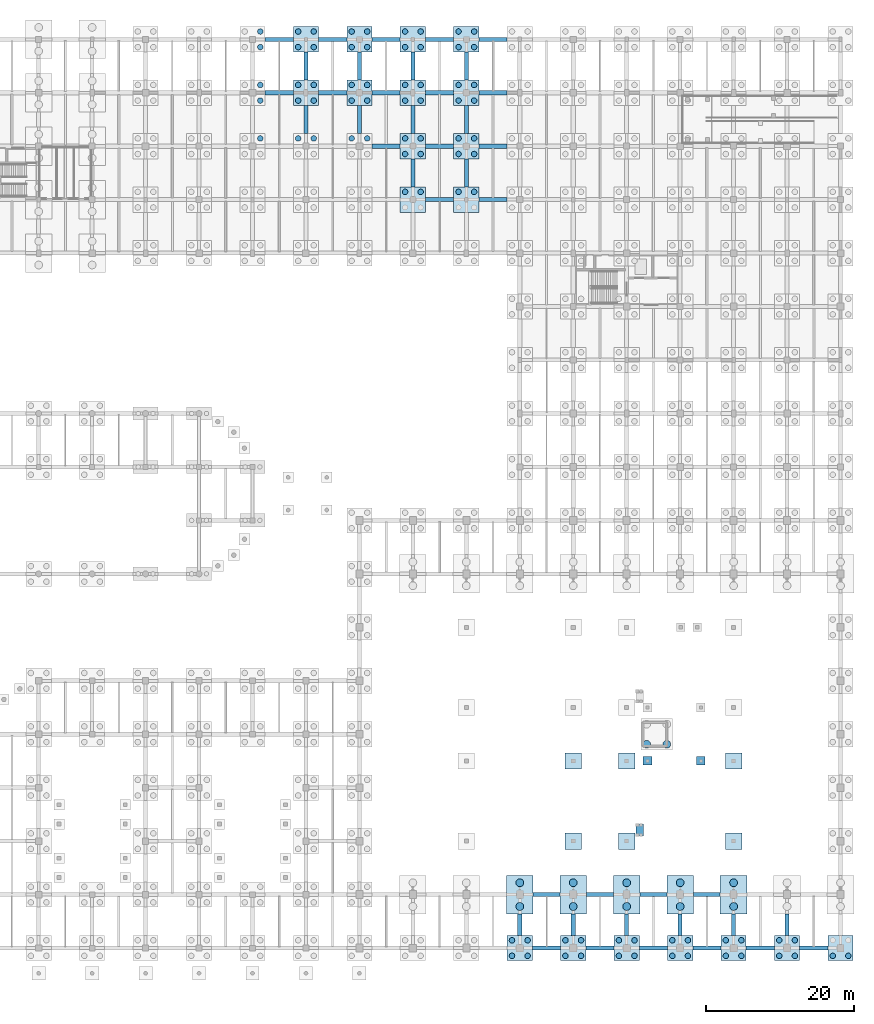
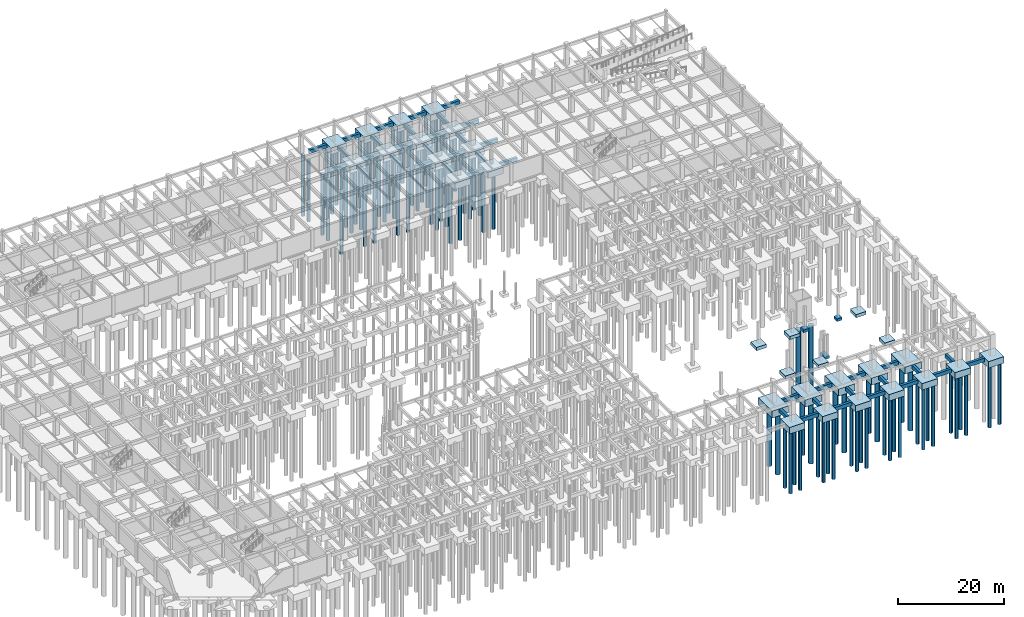
# One storey, part 10 of 47: 91 piles, 74 footings.
"""IFC4 building model written with IfcOpenShell, lengths in metres."""

from ifc_helpers import new_model, si_unit, direction, frame, origin, origin_2d, place, context, subcontext, project, spatial, rectangle, circle, extrude, material, material_profile, profile_set, type_object, element, save


model = new_model("IFC4")

# Units and contexts
model_context = context("Model", 3, precision=1e-05, world=origin(), true_north=direction((0.0, 1.0)))
body_context = subcontext(model_context, "Body", "Model", "MODEL_VIEW")
ifc_project = project(units=[si_unit("LENGTHUNIT", "METRE"), si_unit("AREAUNIT", "SQUARE_METRE"), si_unit("VOLUMEUNIT", "CUBIC_METRE"), si_unit("PLANEANGLEUNIT", "RADIAN"), si_unit("MASSUNIT", "GRAM", prefix="KILO")], contexts=[model_context])

# Site, building, storey
site_placement = place(None, origin())
site = spatial("IfcSite", under=ifc_project, at=site_placement, CompositionType="ELEMENT")
building_placement = place(site_placement, origin())
building = spatial("IfcBuilding", under=site, at=building_placement, Name="Thalmaran Polytechnic", CompositionType="ELEMENT")
storey_placement = place(building_placement, frame((0.0, 0.0, -4.5)))
storey = spatial("IfcBuildingStorey", under=building, at=storey_placement, Name="B1", CompositionType="ELEMENT", Elevation=-4.5)

# Footings
ifc_material_1 = material(Name="Concrete C40/50", Category="concrete")
ifc_material_profile_1 = material_profile(ifc_material_1, rectangle(XDim=0.550048828125, YDim=0.85009765625, at=origin_2d()), Name="RC 550x850")
ifc_profile_set_1 = profile_set([ifc_material_profile_1], Name="Concrete C40/50")
footing_type_1 = type_object("IfcFootingType", Name="FN-GB01", PredefinedType="FOOTING_BEAM", material=ifc_profile_set_1)
for number, where, z_axis, x_axis, name in (
    (1, (95.300048828125, 115.199951171875, -0.875), (1.0, 0.0, 0.0), (0.0, 1.0, 0.0), "Ground Tie Beam B1 X (13,16)"),
    (2, (95.300048828125, 122.39990234375, -0.875), (1.0, 0.0, 0.0), (0.0, 1.0, 0.0), "Ground Tie Beam B1 X (13,17)"),
    (3, (100.800048828125, 109.699951171875, -0.875), (0.0, 1.0, 0.0), (-1.0, 0.0, 0.0), "Ground Tie Beam B1 Y (14,15)"),
    (4, (102.5, 115.199951171875, -0.875), (1.0, 0.0, 0.0), (0.0, 1.0, 0.0), "Ground Tie Beam B1 X (14,16)"),
    (5, (100.800048828125, 116.89990234375, -0.875), (0.0, 1.0, 0.0), (-1.0, 0.0, 0.0), "Ground Tie Beam B1 Y (14,16)"),
    (6, (102.5, 122.39990234375, -0.875), (1.0, 0.0, 0.0), (0.0, 1.0, 0.0), "Ground Tie Beam B1 X (14,17)"),
    (7, (109.699951171875, 108.0, -0.875), (1.0, 0.0, 0.0), (0.0, 1.0, 0.0), "Ground Tie Beam B1 X (15,15)"),
    (8, (108.0, 109.699951171875, -0.875), (0.0, 1.0, 0.0), (-1.0, 0.0, 0.0), "Ground Tie Beam B1 Y (15,15)"),
    (9, (109.699951171875, 115.199951171875, -0.875), (1.0, 0.0, 0.0), (0.0, 1.0, 0.0), "Ground Tie Beam B1 X (15,16)"),
    (10, (108.0, 116.89990234375, -0.875), (0.0, 1.0, 0.0), (-1.0, 0.0, 0.0), "Ground Tie Beam B1 Y (15,16)"),
    (11, (109.699951171875, 122.39990234375, -0.875), (1.0, 0.0, 0.0), (0.0, 1.0, 0.0), "Ground Tie Beam B1 X (15,17)"),
    (12, (116.89990234375, 100.800048828125, -0.875), (1.0, 0.0, 0.0), (0.0, 1.0, 0.0), "Ground Tie Beam B1 X (16,14)"),
    (13, (115.199951171875, 102.5, -0.875), (0.0, 1.0, 0.0), (-1.0, 0.0, 0.0), "Ground Tie Beam B1 Y (16,14)"),
    (14, (116.89990234375, 108.0, -0.875), (1.0, 0.0, 0.0), (0.0, 1.0, 0.0), "Ground Tie Beam B1 X (16,15)"),
    (15, (115.199951171875, 109.699951171875, -0.875), (0.0, 1.0, 0.0), (-1.0, 0.0, 0.0), "Ground Tie Beam B1 Y (16,15)"),
    (16, (116.89990234375, 115.199951171875, -0.875), (1.0, 0.0, 0.0), (0.0, 1.0, 0.0), "Ground Tie Beam B1 X (16,16)"),
    (17, (115.199951171875, 116.89990234375, -0.875), (0.0, 1.0, 0.0), (-1.0, 0.0, 0.0), "Ground Tie Beam B1 Y (16,16)"),
    (18, (116.89990234375, 122.39990234375, -0.875), (1.0, 0.0, 0.0), (0.0, 1.0, 0.0), "Ground Tie Beam B1 X (16,17)"),
):
    element("IfcFooting", number, at=place(storey_placement, frame(where, z_axis=z_axis, x_axis=x_axis)), inside=storey, type_object=footing_type_1, Name=name, PredefinedType="FOOTING_BEAM", context=body_context, shape_type="SweptSolid", body=[
        extrude(rectangle(XDim=0.550048828125, YDim=0.85009765625, at=origin_2d()), origin(), (0.0, 0.0, 1.0), 3.800048828125),
    ])
footing_1_placement = place(storey_placement, frame((124.10009765625, 100.800048828125, -0.875), z_axis=(1.0, 0.0, 0.0), x_axis=(0.0, 1.0, 0.0)))
element("IfcFooting", 19, at=footing_1_placement, inside=storey, type_object=footing_type_1, Name="Ground Tie Beam B1 X (17,14)", PredefinedType="FOOTING_BEAM", context=body_context, shape_type="SweptSolid", body=[
    extrude(rectangle(XDim=0.550048828125, YDim=0.85009765625, at=origin_2d()), origin(), (0.0, 0.0, 1.0), 3.7998046875),
])
footing_2_placement = place(storey_placement, frame((122.39990234375, 102.5, -0.875), z_axis=(0.0, 1.0, 0.0), x_axis=(-1.0, 0.0, 0.0)))
element("IfcFooting", 20, at=footing_2_placement, inside=storey, type_object=footing_type_1, Name="Ground Tie Beam B1 Y (17,14)", PredefinedType="FOOTING_BEAM", context=body_context, shape_type="SweptSolid", body=[
    extrude(rectangle(XDim=0.550048828125, YDim=0.85009765625, at=origin_2d()), origin(), (0.0, 0.0, 1.0), 3.800048828125),
])
footing_3_placement = place(storey_placement, frame((124.10009765625, 108.0, -0.875), z_axis=(1.0, 0.0, 0.0), x_axis=(0.0, 1.0, 0.0)))
element("IfcFooting", 21, at=footing_3_placement, inside=storey, type_object=footing_type_1, Name="Ground Tie Beam B1 X (17,15)", PredefinedType="FOOTING_BEAM", context=body_context, shape_type="SweptSolid", body=[
    extrude(rectangle(XDim=0.550048828125, YDim=0.85009765625, at=origin_2d()), origin(), (0.0, 0.0, 1.0), 3.7998046875),
])
footing_4_placement = place(storey_placement, frame((122.39990234375, 109.699951171875, -0.875), z_axis=(0.0, 1.0, 0.0), x_axis=(-1.0, 0.0, 0.0)))
element("IfcFooting", 22, at=footing_4_placement, inside=storey, type_object=footing_type_1, Name="Ground Tie Beam B1 Y (17,15)", PredefinedType="FOOTING_BEAM", context=body_context, shape_type="SweptSolid", body=[
    extrude(rectangle(XDim=0.550048828125, YDim=0.85009765625, at=origin_2d()), origin(), (0.0, 0.0, 1.0), 3.800048828125),
])
footing_5_placement = place(storey_placement, frame((124.10009765625, 115.199951171875, -0.875), z_axis=(1.0, 0.0, 0.0), x_axis=(0.0, 1.0, 0.0)))
element("IfcFooting", 23, at=footing_5_placement, inside=storey, type_object=footing_type_1, Name="Ground Tie Beam B1 X (17,16)", PredefinedType="FOOTING_BEAM", context=body_context, shape_type="SweptSolid", body=[
    extrude(rectangle(XDim=0.550048828125, YDim=0.85009765625, at=origin_2d()), origin(), (0.0, 0.0, 1.0), 3.7998046875),
])
footing_6_placement = place(storey_placement, frame((122.39990234375, 116.89990234375, -0.875), z_axis=(0.0, 1.0, 0.0), x_axis=(-1.0, 0.0, 0.0)))
element("IfcFooting", 24, at=footing_6_placement, inside=storey, type_object=footing_type_1, Name="Ground Tie Beam B1 Y (17,16)", PredefinedType="FOOTING_BEAM", context=body_context, shape_type="SweptSolid", body=[
    extrude(rectangle(XDim=0.550048828125, YDim=0.85009765625, at=origin_2d()), origin(), (0.0, 0.0, 1.0), 3.800048828125),
])
footing_7_placement = place(storey_placement, frame((124.10009765625, 122.39990234375, -0.875), z_axis=(1.0, 0.0, 0.0), x_axis=(0.0, 1.0, 0.0)))
element("IfcFooting", 25, at=footing_7_placement, inside=storey, type_object=footing_type_1, Name="Ground Tie Beam B1 X (17,17)", PredefinedType="FOOTING_BEAM", context=body_context, shape_type="SweptSolid", body=[
    extrude(rectangle(XDim=0.550048828125, YDim=0.85009765625, at=origin_2d()), origin(), (0.0, 0.0, 1.0), 3.7998046875),
])
footing_8_placement = place(storey_placement, frame((131.300048828125, 0.0, -0.875), z_axis=(1.0, 0.0, 0.0), x_axis=(0.0, 1.0, 0.0)))
element("IfcFooting", 26, at=footing_8_placement, inside=storey, type_object=footing_type_1, Name="Ground Tie Beam B1 X (18,0)", PredefinedType="FOOTING_BEAM", context=body_context, shape_type="SweptSolid", body=[
    extrude(rectangle(XDim=0.550048828125, YDim=0.85009765625, at=origin_2d()), origin(), (0.0, 0.0, 1.0), 3.800048828125),
])
footing_9_placement = place(storey_placement, frame((129.60009765625, 1.699951171875, -0.875), z_axis=(0.0, 1.0, 0.0), x_axis=(-1.0, 0.0, 0.0)))
element("IfcFooting", 27, at=footing_9_placement, inside=storey, type_object=footing_type_1, Name="Ground Tie Beam B1 Y (18,0)", PredefinedType="FOOTING_BEAM", context=body_context, shape_type="SweptSolid", body=[
    extrude(rectangle(XDim=0.550048828125, YDim=0.85009765625, at=origin_2d()), origin(), (0.0, 0.0, 1.0), 2.900146484375),
])
footing_10_placement = place(storey_placement, frame((131.39990234375, 7.199951171875, -0.875), z_axis=(1.0, 0.0, 0.0), x_axis=(0.0, 1.0, 0.0)))
element("IfcFooting", 28, at=footing_10_placement, inside=storey, type_object=footing_type_1, Name="Ground Tie Beam B1 X (18,1)", PredefinedType="FOOTING_BEAM", context=body_context, shape_type="SweptSolid", body=[
    extrude(rectangle(XDim=0.550048828125, YDim=0.85009765625, at=origin_2d()), origin(), (0.0, 0.0, 1.0), 3.60009765625),
])
footing_11_placement = place(storey_placement, frame((138.5, 0.0, -0.875), z_axis=(1.0, 0.0, 0.0), x_axis=(0.0, 1.0, 0.0)))
element("IfcFooting", 29, at=footing_11_placement, inside=storey, type_object=footing_type_1, Name="Ground Tie Beam B1 X (19,0)", PredefinedType="FOOTING_BEAM", context=body_context, shape_type="SweptSolid", body=[
    extrude(rectangle(XDim=0.550048828125, YDim=0.85009765625, at=origin_2d()), origin(), (0.0, 0.0, 1.0), 3.800048828125),
])
footing_12_placement = place(storey_placement, frame((136.800048828125, 1.699951171875, -0.875), z_axis=(0.0, 1.0, 0.0), x_axis=(-1.0, 0.0, 0.0)))
element("IfcFooting", 30, at=footing_12_placement, inside=storey, type_object=footing_type_1, Name="Ground Tie Beam B1 Y (19,0)", PredefinedType="FOOTING_BEAM", context=body_context, shape_type="SweptSolid", body=[
    extrude(rectangle(XDim=0.550048828125, YDim=0.85009765625, at=origin_2d()), origin(), (0.0, 0.0, 1.0), 2.900146484375),
])
footing_13_placement = place(storey_placement, frame((138.60009765625, 7.199951171875, -0.875), z_axis=(1.0, 0.0, 0.0), x_axis=(0.0, 1.0, 0.0)))
element("IfcFooting", 31, at=footing_13_placement, inside=storey, type_object=footing_type_1, Name="Ground Tie Beam B1 X (19,1)", PredefinedType="FOOTING_BEAM", context=body_context, shape_type="SweptSolid", body=[
    extrude(rectangle(XDim=0.550048828125, YDim=0.85009765625, at=origin_2d()), origin(), (0.0, 0.0, 1.0), 3.599853515625),
])
footing_14_placement = place(storey_placement, frame((145.699951171875, 0.0, -0.875), z_axis=(1.0, 0.0, 0.0), x_axis=(0.0, 1.0, 0.0)))
element("IfcFooting", 32, at=footing_14_placement, inside=storey, type_object=footing_type_1, Name="Ground Tie Beam B1 X (20,0)", PredefinedType="FOOTING_BEAM", context=body_context, shape_type="SweptSolid", body=[
    extrude(rectangle(XDim=0.550048828125, YDim=0.85009765625, at=origin_2d()), origin(), (0.0, 0.0, 1.0), 3.800048828125),
])
footing_15_placement = place(storey_placement, frame((144.0, 1.699951171875, -0.875), z_axis=(0.0, 1.0, 0.0), x_axis=(-1.0, 0.0, 0.0)))
element("IfcFooting", 33, at=footing_15_placement, inside=storey, type_object=footing_type_1, Name="Ground Tie Beam B1 Y (20,0)", PredefinedType="FOOTING_BEAM", context=body_context, shape_type="SweptSolid", body=[
    extrude(rectangle(XDim=0.550048828125, YDim=0.85009765625, at=origin_2d()), origin(), (0.0, 0.0, 1.0), 2.900146484375),
])
footing_16_placement = place(storey_placement, frame((145.800048828125, 7.199951171875, -0.875), z_axis=(1.0, 0.0, 0.0), x_axis=(0.0, 1.0, 0.0)))
element("IfcFooting", 34, at=footing_16_placement, inside=storey, type_object=footing_type_1, Name="Ground Tie Beam B1 X (20,1)", PredefinedType="FOOTING_BEAM", context=body_context, shape_type="SweptSolid", body=[
    extrude(rectangle(XDim=0.550048828125, YDim=0.85009765625, at=origin_2d()), origin(), (0.0, 0.0, 1.0), 3.599853515625),
])
footing_17_placement = place(storey_placement, frame((152.89990234375, 0.0, -0.875), z_axis=(1.0, 0.0, 0.0), x_axis=(0.0, 1.0, 0.0)))
element("IfcFooting", 35, at=footing_17_placement, inside=storey, type_object=footing_type_1, Name="Ground Tie Beam B1 X (21,0)", PredefinedType="FOOTING_BEAM", context=body_context, shape_type="SweptSolid", body=[
    extrude(rectangle(XDim=0.550048828125, YDim=0.85009765625, at=origin_2d()), origin(), (0.0, 0.0, 1.0), 3.800048828125),
])
footing_18_placement = place(storey_placement, frame((151.199951171875, 1.699951171875, -0.875), z_axis=(0.0, 1.0, 0.0), x_axis=(-1.0, 0.0, 0.0)))
element("IfcFooting", 36, at=footing_18_placement, inside=storey, type_object=footing_type_1, Name="Ground Tie Beam B1 Y (21,0)", PredefinedType="FOOTING_BEAM", context=body_context, shape_type="SweptSolid", body=[
    extrude(rectangle(XDim=0.550048828125, YDim=0.85009765625, at=origin_2d()), origin(), (0.0, 0.0, 1.0), 2.900146484375),
])
footing_19_placement = place(storey_placement, frame((153.0, 7.199951171875, -0.875), z_axis=(1.0, 0.0, 0.0), x_axis=(0.0, 1.0, 0.0)))
element("IfcFooting", 37, at=footing_19_placement, inside=storey, type_object=footing_type_1, Name="Ground Tie Beam B1 X (21,1)", PredefinedType="FOOTING_BEAM", context=body_context, shape_type="SweptSolid", body=[
    extrude(rectangle(XDim=0.550048828125, YDim=0.85009765625, at=origin_2d()), origin(), (0.0, 0.0, 1.0), 3.60009765625),
])
footing_20_placement = place(storey_placement, frame((160.10009765625, 0.0, -0.875), z_axis=(1.0, 0.0, 0.0), x_axis=(0.0, 1.0, 0.0)))
element("IfcFooting", 38, at=footing_20_placement, inside=storey, type_object=footing_type_1, Name="Ground Tie Beam B1 X (22,0)", PredefinedType="FOOTING_BEAM", context=body_context, shape_type="SweptSolid", body=[
    extrude(rectangle(XDim=0.550048828125, YDim=0.85009765625, at=origin_2d()), origin(), (0.0, 0.0, 1.0), 3.7998046875),
])
footing_21_placement = place(storey_placement, frame((158.39990234375, 1.699951171875, -0.875), z_axis=(0.0, 1.0, 0.0), x_axis=(-1.0, 0.0, 0.0)))
element("IfcFooting", 39, at=footing_21_placement, inside=storey, type_object=footing_type_1, Name="Ground Tie Beam B1 Y (22,0)", PredefinedType="FOOTING_BEAM", context=body_context, shape_type="SweptSolid", body=[
    extrude(rectangle(XDim=0.550048828125, YDim=0.85009765625, at=origin_2d()), origin(), (0.0, 0.0, 1.0), 2.900146484375),
])
footing_22_placement = place(storey_placement, frame((167.300048828125, 0.0, -0.875), z_axis=(1.0, 0.0, 0.0), x_axis=(0.0, 1.0, 0.0)))
element("IfcFooting", 40, at=footing_22_placement, inside=storey, type_object=footing_type_1, Name="Ground Tie Beam B1 X (23,0)", PredefinedType="FOOTING_BEAM", context=body_context, shape_type="SweptSolid", body=[
    extrude(rectangle(XDim=0.550048828125, YDim=0.85009765625, at=origin_2d()), origin(), (0.0, 0.0, 1.0), 3.800048828125),
])
footing_23_placement = place(storey_placement, frame((165.60009765625, 1.699951171875, -0.875), z_axis=(0.0, 1.0, 0.0), x_axis=(-1.0, 0.0, 0.0)))
element("IfcFooting", 41, at=footing_23_placement, inside=storey, type_object=footing_type_1, Name="Ground Tie Beam B1 Y (23,0)", PredefinedType="FOOTING_BEAM", context=body_context, shape_type="SweptSolid", body=[
    extrude(rectangle(XDim=0.550048828125, YDim=0.85009765625, at=origin_2d()), origin(), (0.0, 0.0, 1.0), 2.900146484375),
])
footing_type_2 = type_object("IfcFootingType", Name="FN-PC01", PredefinedType="PILE_CAP", material=ifc_material_1)
for number, where, z_axis, x_axis, name in (
    (42, (100.800048828125, 115.199951171875, -1.949951171875), (0.0, 0.0, 1.0), (1.0, 0.0, 0.0), "Pile Cap PC01 (14,16)"),
    (43, (100.800048828125, 122.39990234375, -1.949951171875), (0.0, 0.0, 1.0), (1.0, 0.0, 0.0), "Pile Cap PC01 (14,17)"),
    (44, (108.0, 115.199951171875, -1.949951171875), (0.0, 0.0, 1.0), (1.0, 0.0, 0.0), "Pile Cap PC01 (15,16)"),
    (45, (108.0, 122.39990234375, -1.949951171875), (0.0, 0.0, 1.0), (1.0, 0.0, 0.0), "Pile Cap PC01 (15,17)"),
    (46, (115.199951171875, 100.800048828125, -1.949951171875), (0.0, 0.0, 1.0), (1.0, 0.0, 0.0), "Pile Cap PC01 (16,14)"),
    (47, (115.199951171875, 108.0, -1.949951171875), (0.0, 0.0, 1.0), (1.0, 0.0, 0.0), "Pile Cap PC01 (16,15)"),
    (48, (115.199951171875, 115.199951171875, -1.949951171875), (0.0, 0.0, 1.0), (1.0, 0.0, 0.0), "Pile Cap PC01 (16,16)"),
    (49, (115.199951171875, 122.39990234375, -1.949951171875), (0.0, 0.0, 1.0), (1.0, 0.0, 0.0), "Pile Cap PC01 (16,17)"),
    (50, (122.39990234375, 100.800048828125, -1.949951171875), (0.0, 0.0, 1.0), (1.0, 0.0, 0.0), "Pile Cap PC01 (17,14)"),
    (51, (122.39990234375, 108.0, -1.949951171875), (0.0, 0.0, 1.0), (1.0, 0.0, 0.0), "Pile Cap PC01 (17,15)"),
    (52, (122.39990234375, 115.199951171875, -1.949951171875), (0.0, 0.0, 1.0), (1.0, 0.0, 0.0), "Pile Cap PC01 (17,16)"),
    (53, (122.39990234375, 122.39990234375, -1.949951171875), (0.0, 0.0, 1.0), (1.0, 0.0, 0.0), "Pile Cap PC01 (17,17)"),
    (54, (129.60009765625, 0.0, -1.949951171875), (0.0, 0.0, 1.0), (1.0, 0.0, 0.0), "Pile Cap PC01 (18,0)"),
    (55, (136.800048828125, 0.0, -1.949951171875), (0.0, 0.0, 1.0), (1.0, 0.0, 0.0), "Pile Cap PC01 (19,0)"),
    (56, (144.0, 0.0, -1.949951171875), (0.0, 0.0, 1.0), (1.0, 0.0, 0.0), "Pile Cap PC01 (20,0)"),
    (57, (151.199951171875, 0.0, -1.949951171875), (0.0, 0.0, 1.0), (1.0, 0.0, 0.0), "Pile Cap PC01 (21,0)"),
    (58, (158.39990234375, 0.0, -1.949951171875), (0.0, 0.0, 1.0), (1.0, 0.0, 0.0), "Pile Cap PC01 (22,0)"),
    (59, (165.60009765625, 0.0, -1.949951171875), (0.0, 0.0, 1.0), (1.0, 0.0, 0.0), "Pile Cap PC01 (23,0)"),
    (60, (172.800048828125, 0.0, -1.949951171875), (0.0, 0.0, 1.0), (1.0, 0.0, 0.0), "Pile Cap PC01 (24,0)"),
):
    element("IfcFooting", number, at=place(storey_placement, frame(where, z_axis=z_axis, x_axis=x_axis)), inside=storey, type_object=footing_type_2, Name=name, PredefinedType="PILE_CAP", context=body_context, shape_type="SweptSolid", body=[
        extrude(rectangle(XDim=3.39990234375, YDim=3.39990234375, at=origin_2d()), origin(), (0.0, 0.0, 1.0), 1.5),
    ])
footing_type_3 = type_object("IfcFootingType", Name="FN-PC08", PredefinedType="PILE_CAP", material=ifc_material_1)
for number, where, z_axis, x_axis, name in (
    (61, (129.60009765625, 7.199951171875, -2.050048828125), (0.0, 0.0, 1.0), (1.0, 0.0, 0.0), "Pile Cap PC08 (18,1)"),
    (62, (136.800048828125, 7.199951171875, -2.050048828125), (0.0, 0.0, 1.0), (1.0, 0.0, 0.0), "Pile Cap PC08 (19,1)"),
    (63, (144.0, 7.199951171875, -2.050048828125), (0.0, 0.0, 1.0), (1.0, 0.0, 0.0), "Pile Cap PC08 (20,1)"),
    (64, (151.199951171875, 7.199951171875, -2.050048828125), (0.0, 0.0, 1.0), (1.0, 0.0, 0.0), "Pile Cap PC08 (21,1)"),
    (65, (158.39990234375, 7.199951171875, -2.050048828125), (0.0, 0.0, 1.0), (1.0, 0.0, 0.0), "Pile Cap PC08 (22,1)"),
):
    element("IfcFooting", number, at=place(storey_placement, frame(where, z_axis=z_axis, x_axis=x_axis)), inside=storey, type_object=footing_type_3, Name=name, PredefinedType="PILE_CAP", context=body_context, shape_type="SweptSolid", body=[
        extrude(rectangle(XDim=3.60009765625, YDim=5.199951171875, at=origin_2d()), origin(), (0.0, 0.0, 1.0), 1.60009765625),
    ])
footing_type_4 = type_object("IfcFootingType", Name="FN-PF01", PredefinedType="PAD_FOOTING", material=ifc_material_1)
for number, where, z_axis, x_axis, name in (
    (66, (136.800048828125, 14.39990234375, -1.199951171875), (0.0, 0.0, 1.0), (1.0, 0.0, 0.0), "POD1 Sabkha Pad Footing"),
    (67, (136.800048828125, 25.199951171875, -1.199951171875), (0.0, 0.0, 1.0), (1.0, 0.0, 0.0), "POD1 Sabkha Pad Footing"),
    (68, (144.0, 14.39990234375, -1.199951171875), (0.0, 0.0, 1.0), (1.0, 0.0, 0.0), "POD2 Sabkha Pad Footing"),
    (69, (144.0, 25.199951171875, -1.199951171875), (0.0, 0.0, 1.0), (1.0, 0.0, 0.0), "POD2 Sabkha Pad Footing"),
    (70, (158.39990234375, 14.39990234375, -1.199951171875), (0.0, 0.0, 1.0), (1.0, 0.0, 0.0), "POD2 Sabkha Pad Footing"),
    (71, (158.39990234375, 25.199951171875, -1.199951171875), (0.0, 0.0, 1.0), (1.0, 0.0, 0.0), "POD2 Sabkha Pad Footing"),
):
    element("IfcFooting", number, at=place(storey_placement, frame(where, z_axis=z_axis, x_axis=x_axis)), inside=storey, type_object=footing_type_4, Name=name, PredefinedType="PAD_FOOTING", context=body_context, shape_type="SweptSolid", body=[
        extrude(rectangle(XDim=2.199951171875, YDim=2.199951171875, at=origin_2d()), origin(), (0.0, 0.0, 1.0), 0.75),
    ])
footing_type_5 = type_object("IfcFootingType", Name="FN-PF02", PredefinedType="PAD_FOOTING", material=ifc_material_1)
footing_24_placement = place(storey_placement, frame((145.75, 15.89990234375, -1.099853515625), z_axis=(0.0, 0.0, 1.0), x_axis=(1.0, 0.0, 0.0)))
element("IfcFooting", 72, at=footing_24_placement, inside=storey, type_object=footing_type_5, Name="STP1 Combined Landing Pad Footing", PredefinedType="PAD_FOOTING", context=body_context, shape_type="SweptSolid", body=[
    extrude(rectangle(XDim=1.0400390625, YDim=1.64990234375, at=origin_2d()), origin(), (0.0, 0.0, 1.0), 0.64990234375),
])
footing_type_6 = type_object("IfcFootingType", Name="FN-PF03", PredefinedType="PAD_FOOTING", material=ifc_material_1)
for number, where, z_axis, x_axis, name in (
    (73, (146.800048828125, 25.199951171875, -1.050048828125), (0.0, 0.0, 1.0), (1.0, 0.0, 0.0), "Pod Bridge Footing (146.8,25.2)"),
    (74, (154.0, 25.199951171875, -1.050048828125), (0.0, 0.0, 1.0), (1.0, 0.0, 0.0), "Pod Bridge Footing (154.0,25.2)"),
):
    element("IfcFooting", number, at=place(storey_placement, frame(where, z_axis=z_axis, x_axis=x_axis)), inside=storey, type_object=footing_type_6, Name=name, PredefinedType="PAD_FOOTING", context=body_context, shape_type="SweptSolid", body=[
        extrude(rectangle(XDim=1.14990234375, YDim=1.14990234375, at=origin_2d()), origin(), (0.0, 0.0, 1.0), 0.60009765625),
    ])

# Piles
ifc_material_2 = material(Name="Concrete C35/45", Category="concrete")
ifc_material_profile_2 = material_profile(ifc_material_2, circle(Radius=0.52490234375, at=origin_2d()), Name="RC 1050 DIA")
ifc_profile_set_2 = profile_set([ifc_material_profile_2], Name="Concrete C35/45")
pile_type_1 = type_object("IfcPileType", Name="PL-BP01", PredefinedType="BORED", material=ifc_profile_set_2)
for number, where, z_axis, x_axis, name in (
    (75, (129.60009765625, 5.60009765625, -2.050048828125), (0.0, 0.0, -1.0), (1.0, 0.0, 0.0), "Bored Pile BP01 (18,1)-1"),
    (76, (129.60009765625, 8.800048828125, -2.050048828125), (0.0, 0.0, -1.0), (1.0, 0.0, 0.0), "Bored Pile BP01 (18,1)-2"),
    (77, (136.800048828125, 5.60009765625, -2.050048828125), (0.0, 0.0, -1.0), (1.0, 0.0, 0.0), "Bored Pile BP01 (19,1)-1"),
    (78, (136.800048828125, 8.800048828125, -2.050048828125), (0.0, 0.0, -1.0), (1.0, 0.0, 0.0), "Bored Pile BP01 (19,1)-2"),
    (79, (144.0, 5.60009765625, -2.050048828125), (0.0, 0.0, -1.0), (1.0, 0.0, 0.0), "Bored Pile BP01 (20,1)-1"),
    (80, (144.0, 8.800048828125, -2.050048828125), (0.0, 0.0, -1.0), (1.0, 0.0, 0.0), "Bored Pile BP01 (20,1)-2"),
    (81, (151.199951171875, 5.60009765625, -2.050048828125), (0.0, 0.0, -1.0), (1.0, 0.0, 0.0), "Bored Pile BP01 (21,1)-1"),
    (82, (151.199951171875, 8.800048828125, -2.050048828125), (0.0, 0.0, -1.0), (1.0, 0.0, 0.0), "Bored Pile BP01 (21,1)-2"),
    (83, (158.39990234375, 5.60009765625, -2.050048828125), (0.0, 0.0, -1.0), (1.0, 0.0, 0.0), "Bored Pile BP01 (22,1)-1"),
    (84, (158.39990234375, 8.800048828125, -2.050048828125), (0.0, 0.0, -1.0), (1.0, 0.0, 0.0), "Bored Pile BP01 (22,1)-2"),
):
    element("IfcPile", number, at=place(storey_placement, frame(where, z_axis=z_axis, x_axis=x_axis)), inside=storey, type_object=pile_type_1, Name=name, PredefinedType="BORED", context=body_context, shape_type="SweptSolid", body=[
        extrude(circle(Radius=0.52490234375, at=origin_2d()), origin(), (0.0, 0.0, 1.0), 13.949951171875),
    ])
for number, where, z_axis, x_axis, name in (
    (85, (146.699951171875, 27.449951171875, -18.449951171875), (0.0, 0.0, 1.0), (1.0, 0.0, 0.0), "Pod Lift Bored Pile 1"),
    (86, (149.39990234375, 27.449951171875, -18.449951171875), (0.0, 0.0, 1.0), (1.0, 0.0, 0.0), "Pod Lift Bored Pile 2"),
):
    element("IfcPile", number, at=place(storey_placement, frame(where, z_axis=z_axis, x_axis=x_axis)), inside=storey, type_object=pile_type_1, Name=name, PredefinedType="BORED", context=body_context, shape_type="SweptSolid", body=[
        extrude(circle(Radius=0.52490234375, at=origin_2d()), origin(), (0.0, 0.0, 1.0), 16.5),
    ])
ifc_material_profile_3 = material_profile(ifc_material_2, circle(Radius=0.375, at=origin_2d()), Name="RC 750 DIA")
ifc_profile_set_3 = profile_set([ifc_material_profile_3], Name="Concrete C35/45")
pile_type_2 = type_object("IfcPileType", Name="PL-BP03", PredefinedType="BORED", material=ifc_profile_set_3)
for number, where, z_axis, x_axis, name in (
    (87, (94.64990234375, 109.050048828125, -1.949951171875), (0.0, 0.0, -1.0), (1.0, 0.0, 0.0), "Bored Pile BP03 (13,15)-4"),
    (88, (94.64990234375, 114.14990234375, -1.949951171875), (0.0, 0.0, -1.0), (1.0, 0.0, 0.0), "Bored Pile BP03 (13,16)-3"),
    (89, (94.64990234375, 116.25, -1.949951171875), (0.0, 0.0, -1.0), (1.0, 0.0, 0.0), "Bored Pile BP03 (13,16)-4"),
    (90, (94.64990234375, 121.35009765625, -1.949951171875), (0.0, 0.0, -1.0), (1.0, 0.0, 0.0), "Bored Pile BP03 (13,17)-3"),
    (91, (94.64990234375, 123.449951171875, -1.949951171875), (0.0, 0.0, -1.0), (1.0, 0.0, 0.0), "Bored Pile BP03 (13,17)-4"),
    (92, (99.75, 109.050048828125, -1.949951171875), (0.0, 0.0, -1.0), (1.0, 0.0, 0.0), "Bored Pile BP03 (14,15)-2"),
    (93, (101.85009765625, 109.050048828125, -1.949951171875), (0.0, 0.0, -1.0), (1.0, 0.0, 0.0), "Bored Pile BP03 (14,15)-4"),
    (94, (99.75, 114.14990234375, -1.949951171875), (0.0, 0.0, -1.0), (1.0, 0.0, 0.0), "Bored Pile BP03 (14,16)-1"),
    (95, (99.75, 116.25, -1.949951171875), (0.0, 0.0, -1.0), (1.0, 0.0, 0.0), "Bored Pile BP03 (14,16)-2"),
    (96, (101.85009765625, 114.14990234375, -1.949951171875), (0.0, 0.0, -1.0), (1.0, 0.0, 0.0), "Bored Pile BP03 (14,16)-3"),
    (97, (101.85009765625, 116.25, -1.949951171875), (0.0, 0.0, -1.0), (1.0, 0.0, 0.0), "Bored Pile BP03 (14,16)-4"),
    (98, (99.75, 121.35009765625, -1.949951171875), (0.0, 0.0, -1.0), (1.0, 0.0, 0.0), "Bored Pile BP03 (14,17)-1"),
    (99, (99.75, 123.449951171875, -1.949951171875), (0.0, 0.0, -1.0), (1.0, 0.0, 0.0), "Bored Pile BP03 (14,17)-2"),
    (100, (101.85009765625, 121.35009765625, -1.949951171875), (0.0, 0.0, -1.0), (1.0, 0.0, 0.0), "Bored Pile BP03 (14,17)-3"),
    (101, (101.85009765625, 123.449951171875, -1.949951171875), (0.0, 0.0, -1.0), (1.0, 0.0, 0.0), "Bored Pile BP03 (14,17)-4"),
    (102, (106.949951171875, 109.050048828125, -1.949951171875), (0.0, 0.0, -1.0), (1.0, 0.0, 0.0), "Bored Pile BP03 (15,15)-2"),
    (103, (109.050048828125, 109.050048828125, -1.949951171875), (0.0, 0.0, -1.0), (1.0, 0.0, 0.0), "Bored Pile BP03 (15,15)-4"),
    (104, (106.949951171875, 114.14990234375, -1.949951171875), (0.0, 0.0, -1.0), (1.0, 0.0, 0.0), "Bored Pile BP03 (15,16)-1"),
    (105, (106.949951171875, 116.25, -1.949951171875), (0.0, 0.0, -1.0), (1.0, 0.0, 0.0), "Bored Pile BP03 (15,16)-2"),
    (106, (109.050048828125, 114.14990234375, -1.949951171875), (0.0, 0.0, -1.0), (1.0, 0.0, 0.0), "Bored Pile BP03 (15,16)-3"),
    (107, (109.050048828125, 116.25, -1.949951171875), (0.0, 0.0, -1.0), (1.0, 0.0, 0.0), "Bored Pile BP03 (15,16)-4"),
    (108, (106.949951171875, 121.35009765625, -1.949951171875), (0.0, 0.0, -1.0), (1.0, 0.0, 0.0), "Bored Pile BP03 (15,17)-1"),
    (109, (106.949951171875, 123.449951171875, -1.949951171875), (0.0, 0.0, -1.0), (1.0, 0.0, 0.0), "Bored Pile BP03 (15,17)-2"),
    (110, (109.050048828125, 121.35009765625, -1.949951171875), (0.0, 0.0, -1.0), (1.0, 0.0, 0.0), "Bored Pile BP03 (15,17)-3"),
    (111, (109.050048828125, 123.449951171875, -1.949951171875), (0.0, 0.0, -1.0), (1.0, 0.0, 0.0), "Bored Pile BP03 (15,17)-4"),
    (112, (114.14990234375, 101.85009765625, -1.949951171875), (0.0, 0.0, -1.0), (1.0, 0.0, 0.0), "Bored Pile BP03 (16,14)-2"),
    (113, (116.25, 101.85009765625, -1.949951171875), (0.0, 0.0, -1.0), (1.0, 0.0, 0.0), "Bored Pile BP03 (16,14)-4"),
    (114, (114.14990234375, 106.949951171875, -1.949951171875), (0.0, 0.0, -1.0), (1.0, 0.0, 0.0), "Bored Pile BP03 (16,15)-1"),
    (115, (114.14990234375, 109.050048828125, -1.949951171875), (0.0, 0.0, -1.0), (1.0, 0.0, 0.0), "Bored Pile BP03 (16,15)-2"),
    (116, (116.25, 106.949951171875, -1.949951171875), (0.0, 0.0, -1.0), (1.0, 0.0, 0.0), "Bored Pile BP03 (16,15)-3"),
    (117, (116.25, 109.050048828125, -1.949951171875), (0.0, 0.0, -1.0), (1.0, 0.0, 0.0), "Bored Pile BP03 (16,15)-4"),
    (118, (114.14990234375, 114.14990234375, -1.949951171875), (0.0, 0.0, -1.0), (1.0, 0.0, 0.0), "Bored Pile BP03 (16,16)-1"),
    (119, (114.14990234375, 116.25, -1.949951171875), (0.0, 0.0, -1.0), (1.0, 0.0, 0.0), "Bored Pile BP03 (16,16)-2"),
    (120, (116.25, 114.14990234375, -1.949951171875), (0.0, 0.0, -1.0), (1.0, 0.0, 0.0), "Bored Pile BP03 (16,16)-3"),
    (121, (116.25, 116.25, -1.949951171875), (0.0, 0.0, -1.0), (1.0, 0.0, 0.0), "Bored Pile BP03 (16,16)-4"),
    (122, (114.14990234375, 121.35009765625, -1.949951171875), (0.0, 0.0, -1.0), (1.0, 0.0, 0.0), "Bored Pile BP03 (16,17)-1"),
    (123, (114.14990234375, 123.449951171875, -1.949951171875), (0.0, 0.0, -1.0), (1.0, 0.0, 0.0), "Bored Pile BP03 (16,17)-2"),
    (124, (116.25, 121.35009765625, -1.949951171875), (0.0, 0.0, -1.0), (1.0, 0.0, 0.0), "Bored Pile BP03 (16,17)-3"),
    (125, (116.25, 123.449951171875, -1.949951171875), (0.0, 0.0, -1.0), (1.0, 0.0, 0.0), "Bored Pile BP03 (16,17)-4"),
    (126, (121.35009765625, 101.85009765625, -1.949951171875), (0.0, 0.0, -1.0), (1.0, 0.0, 0.0), "Bored Pile BP03 (17,14)-2"),
    (127, (123.449951171875, 101.85009765625, -1.949951171875), (0.0, 0.0, -1.0), (1.0, 0.0, 0.0), "Bored Pile BP03 (17,14)-4"),
    (128, (121.35009765625, 106.949951171875, -1.949951171875), (0.0, 0.0, -1.0), (1.0, 0.0, 0.0), "Bored Pile BP03 (17,15)-1"),
    (129, (121.35009765625, 109.050048828125, -1.949951171875), (0.0, 0.0, -1.0), (1.0, 0.0, 0.0), "Bored Pile BP03 (17,15)-2"),
    (130, (123.449951171875, 106.949951171875, -1.949951171875), (0.0, 0.0, -1.0), (1.0, 0.0, 0.0), "Bored Pile BP03 (17,15)-3"),
    (131, (123.449951171875, 109.050048828125, -1.949951171875), (0.0, 0.0, -1.0), (1.0, 0.0, 0.0), "Bored Pile BP03 (17,15)-4"),
    (132, (121.35009765625, 114.14990234375, -1.949951171875), (0.0, 0.0, -1.0), (1.0, 0.0, 0.0), "Bored Pile BP03 (17,16)-1"),
    (133, (121.35009765625, 116.25, -1.949951171875), (0.0, 0.0, -1.0), (1.0, 0.0, 0.0), "Bored Pile BP03 (17,16)-2"),
    (134, (123.449951171875, 114.14990234375, -1.949951171875), (0.0, 0.0, -1.0), (1.0, 0.0, 0.0), "Bored Pile BP03 (17,16)-3"),
    (135, (123.449951171875, 116.25, -1.949951171875), (0.0, 0.0, -1.0), (1.0, 0.0, 0.0), "Bored Pile BP03 (17,16)-4"),
    (136, (121.35009765625, 121.35009765625, -1.949951171875), (0.0, 0.0, -1.0), (1.0, 0.0, 0.0), "Bored Pile BP03 (17,17)-1"),
    (137, (121.35009765625, 123.449951171875, -1.949951171875), (0.0, 0.0, -1.0), (1.0, 0.0, 0.0), "Bored Pile BP03 (17,17)-2"),
    (138, (123.449951171875, 121.35009765625, -1.949951171875), (0.0, 0.0, -1.0), (1.0, 0.0, 0.0), "Bored Pile BP03 (17,17)-3"),
    (139, (123.449951171875, 123.449951171875, -1.949951171875), (0.0, 0.0, -1.0), (1.0, 0.0, 0.0), "Bored Pile BP03 (17,17)-4"),
    (140, (128.550048828125, -1.050048828125, -1.949951171875), (0.0, 0.0, -1.0), (1.0, 0.0, 0.0), "Bored Pile BP03 (18,0)-1"),
    (141, (128.550048828125, 1.050048828125, -1.949951171875), (0.0, 0.0, -1.0), (1.0, 0.0, 0.0), "Bored Pile BP03 (18,0)-2"),
    (142, (130.64990234375, -1.050048828125, -1.949951171875), (0.0, 0.0, -1.0), (1.0, 0.0, 0.0), "Bored Pile BP03 (18,0)-3"),
    (143, (130.64990234375, 1.050048828125, -1.949951171875), (0.0, 0.0, -1.0), (1.0, 0.0, 0.0), "Bored Pile BP03 (18,0)-4"),
    (144, (135.75, -1.050048828125, -1.949951171875), (0.0, 0.0, -1.0), (1.0, 0.0, 0.0), "Bored Pile BP03 (19,0)-1"),
    (145, (135.75, 1.050048828125, -1.949951171875), (0.0, 0.0, -1.0), (1.0, 0.0, 0.0), "Bored Pile BP03 (19,0)-2"),
    (146, (137.85009765625, -1.050048828125, -1.949951171875), (0.0, 0.0, -1.0), (1.0, 0.0, 0.0), "Bored Pile BP03 (19,0)-3"),
    (147, (137.85009765625, 1.050048828125, -1.949951171875), (0.0, 0.0, -1.0), (1.0, 0.0, 0.0), "Bored Pile BP03 (19,0)-4"),
    (148, (142.949951171875, -1.050048828125, -1.949951171875), (0.0, 0.0, -1.0), (1.0, 0.0, 0.0), "Bored Pile BP03 (20,0)-1"),
    (149, (142.949951171875, 1.050048828125, -1.949951171875), (0.0, 0.0, -1.0), (1.0, 0.0, 0.0), "Bored Pile BP03 (20,0)-2"),
    (150, (145.050048828125, -1.050048828125, -1.949951171875), (0.0, 0.0, -1.0), (1.0, 0.0, 0.0), "Bored Pile BP03 (20,0)-3"),
    (151, (145.050048828125, 1.050048828125, -1.949951171875), (0.0, 0.0, -1.0), (1.0, 0.0, 0.0), "Bored Pile BP03 (20,0)-4"),
    (152, (150.14990234375, -1.050048828125, -1.949951171875), (0.0, 0.0, -1.0), (1.0, 0.0, 0.0), "Bored Pile BP03 (21,0)-1"),
    (153, (150.14990234375, 1.050048828125, -1.949951171875), (0.0, 0.0, -1.0), (1.0, 0.0, 0.0), "Bored Pile BP03 (21,0)-2"),
    (154, (152.25, -1.050048828125, -1.949951171875), (0.0, 0.0, -1.0), (1.0, 0.0, 0.0), "Bored Pile BP03 (21,0)-3"),
    (155, (152.25, 1.050048828125, -1.949951171875), (0.0, 0.0, -1.0), (1.0, 0.0, 0.0), "Bored Pile BP03 (21,0)-4"),
    (156, (157.35009765625, -1.050048828125, -1.949951171875), (0.0, 0.0, -1.0), (1.0, 0.0, 0.0), "Bored Pile BP03 (22,0)-1"),
    (157, (157.35009765625, 1.050048828125, -1.949951171875), (0.0, 0.0, -1.0), (1.0, 0.0, 0.0), "Bored Pile BP03 (22,0)-2"),
    (158, (159.449951171875, -1.050048828125, -1.949951171875), (0.0, 0.0, -1.0), (1.0, 0.0, 0.0), "Bored Pile BP03 (22,0)-3"),
    (159, (159.449951171875, 1.050048828125, -1.949951171875), (0.0, 0.0, -1.0), (1.0, 0.0, 0.0), "Bored Pile BP03 (22,0)-4"),
    (160, (164.550048828125, -1.050048828125, -1.949951171875), (0.0, 0.0, -1.0), (1.0, 0.0, 0.0), "Bored Pile BP03 (23,0)-1"),
    (161, (164.550048828125, 1.050048828125, -1.949951171875), (0.0, 0.0, -1.0), (1.0, 0.0, 0.0), "Bored Pile BP03 (23,0)-2"),
    (162, (166.64990234375, -1.050048828125, -1.949951171875), (0.0, 0.0, -1.0), (1.0, 0.0, 0.0), "Bored Pile BP03 (23,0)-3"),
    (163, (166.64990234375, 1.050048828125, -1.949951171875), (0.0, 0.0, -1.0), (1.0, 0.0, 0.0), "Bored Pile BP03 (23,0)-4"),
    (164, (171.75, -1.050048828125, -1.949951171875), (0.0, 0.0, -1.0), (1.0, 0.0, 0.0), "Bored Pile BP03 (24,0)-1"),
    (165, (173.85009765625, -1.050048828125, -1.949951171875), (0.0, 0.0, -1.0), (1.0, 0.0, 0.0), "Bored Pile BP03 (24,0)-3"),
):
    element("IfcPile", number, at=place(storey_placement, frame(where, z_axis=z_axis, x_axis=x_axis)), inside=storey, type_object=pile_type_2, Name=name, PredefinedType="BORED", context=body_context, shape_type="SweptSolid", body=[
        extrude(circle(Radius=0.375, at=origin_2d()), origin(), (0.0, 0.0, 1.0), 14.050048828125),
    ])

save(model, "model.ifc")
